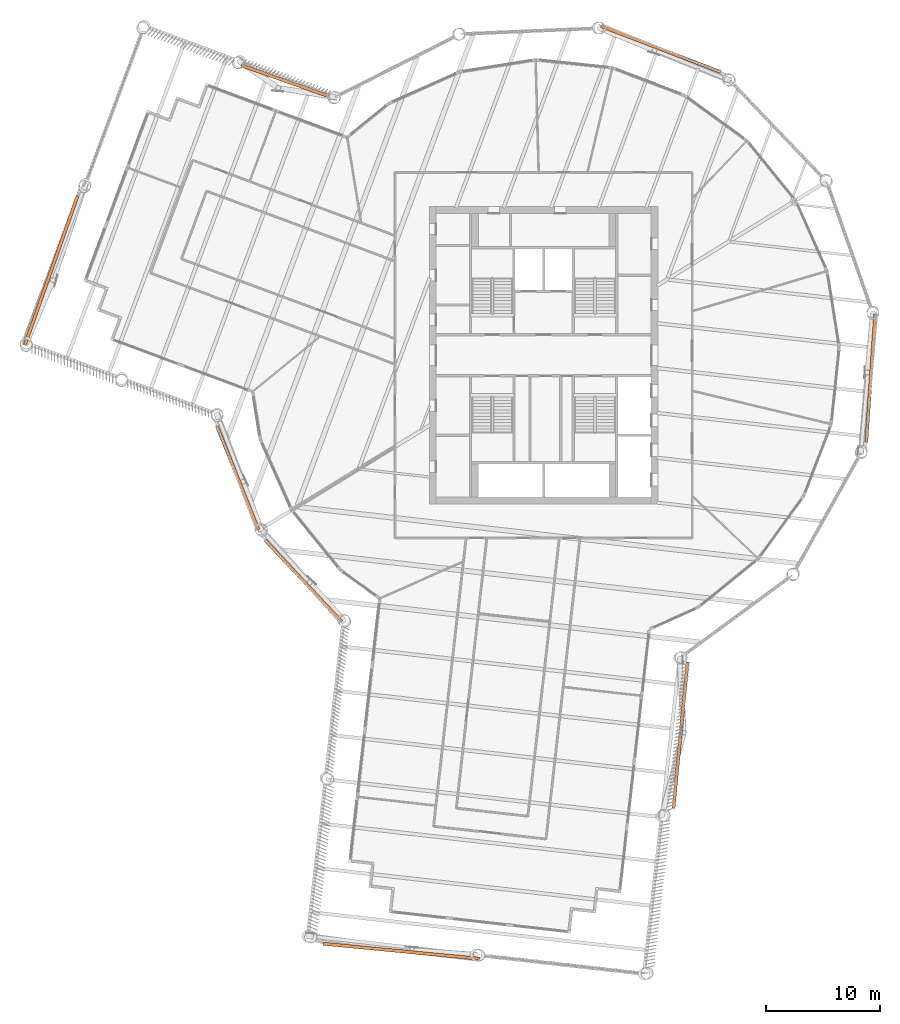
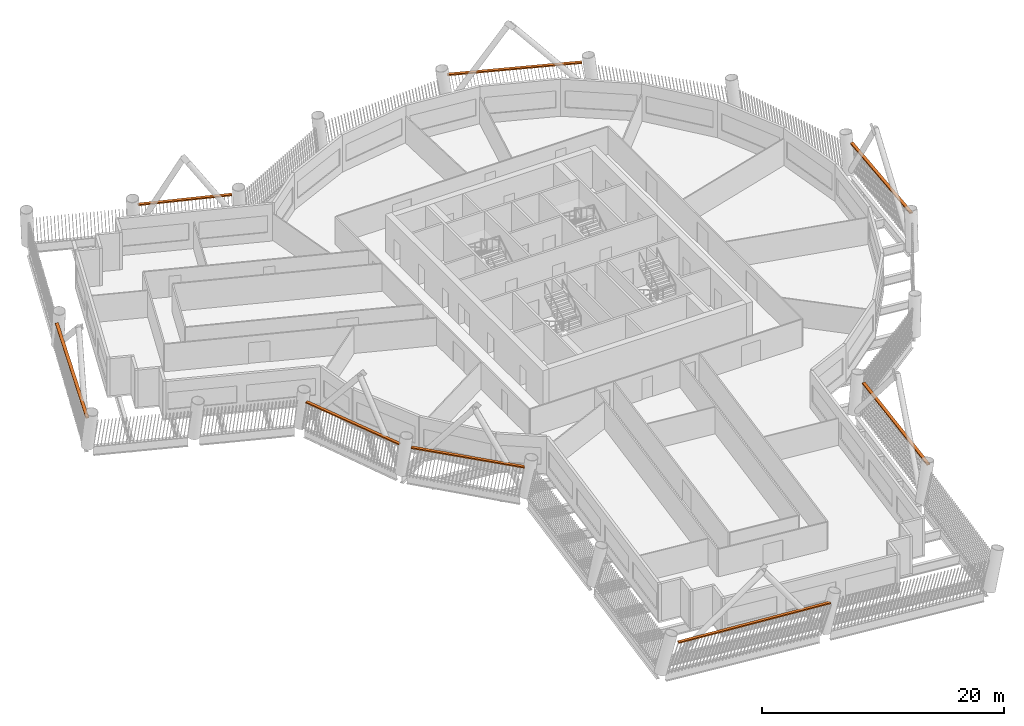
# One storey, part 22 of 22: 8 proxies.
"""IFC4 building model written with IfcOpenShell, lengths in metres."""

from ifc_helpers import new_model, si_unit, direction, frame, origin, origin_2d, place, context, subcontext, project, spatial, rectangle, extrude, material, type_object, element, save


model = new_model("IFC4")

# Units and contexts
model_context = context("Model", 3, precision=1e-05, world=origin(), true_north=direction((0.0, 1.0)))
body_context = subcontext(model_context, "Body", "Model", "MODEL_VIEW")
ifc_project = project(units=[si_unit("LENGTHUNIT", "METRE"), si_unit("AREAUNIT", "SQUARE_METRE"), si_unit("VOLUMEUNIT", "CUBIC_METRE"), si_unit("PLANEANGLEUNIT", "RADIAN"), si_unit("MASSUNIT", "GRAM", prefix="KILO")], contexts=[model_context])

# Site, building, storey
site_placement = place(None, origin())
site = spatial("IfcSite", under=ifc_project, at=site_placement, CompositionType="ELEMENT")
building_placement = place(site_placement, origin())
building = spatial("IfcBuilding", under=site, at=building_placement, Name="Tarsis Ring Headquarters", CompositionType="ELEMENT")
storey_placement = place(building_placement, frame((0.0, 0.0, 200.39990234375)))
storey = spatial("IfcBuildingStorey", under=building, at=storey_placement, Name="L46", CompositionType="ELEMENT", Elevation=200.39990234375)

# Proxies
ifc_material = material(Name="Structural steel S355", Category="steel")
building_element_proxy_type = type_object("IfcBuildingElementProxyType", Name="Screen bracket plate", PredefinedType="USERDEFINED", material=ifc_material)
proxy_1_placement = place(storey_placement, frame((-21.021728515625, -19.744140625, 2.949951171875), z_axis=(0.0, 0.0, 1.0), x_axis=(0.684610501564, -0.728909089769, 0.0)))
element("IfcBuildingElementProxy", 1, at=proxy_1_placement, inside=storey, type_object=building_element_proxy_type, Name="Screen bracket L46-00", ObjectType="Bracket", PredefinedType="USERDEFINED", context=body_context, shape_type="SweptSolid", body=[
    extrude(rectangle(XDim=9.771728515625, YDim=0.280029296875, at=origin_2d()), origin(), (0.0, 0.0, 1.0), 0.1201171875),
])
proxy_2_placement = place(storey_placement, frame((-12.436767578125, -52.1455078125, 2.949951171875), z_axis=(0.0, 0.0, 1.0), x_axis=(0.995429592536, -0.095498305241, 0.0)))
element("IfcBuildingElementProxy", 2, at=proxy_2_placement, inside=storey, type_object=building_element_proxy_type, Name="Screen bracket L46-03", ObjectType="Bracket", PredefinedType="USERDEFINED", context=body_context, shape_type="SweptSolid", body=[
    extrude(rectangle(XDim=13.800048828125, YDim=0.280029296875, at=origin_2d()), origin(), (0.0, 0.0, 1.0), 0.1201171875),
])
proxy_3_placement = place(storey_placement, frame((11.97509765625, -33.2421875, 2.949951171875), z_axis=(0.0, 0.0, 1.0), x_axis=(0.095498357362, 0.995429587536, 0.0)))
element("IfcBuildingElementProxy", 3, at=proxy_3_placement, inside=storey, type_object=building_element_proxy_type, Name="Screen bracket L46-06", ObjectType="Bracket", PredefinedType="USERDEFINED", context=body_context, shape_type="SweptSolid", body=[
    extrude(rectangle(XDim=12.90234375, YDim=0.280029296875, at=origin_2d()), origin(), (0.0, 0.0, 1.0), 0.1201171875),
])
for number, where, z_axis, x_axis, name in (
    (4, (28.620849609375, -1.998291015625, 2.949951171875), (0.0, 0.0, 1.0), (0.069647481863, 0.997571665731, 0.0), "Screen bracket L46-09"),
    (5, (10.26611328125, 26.791015625, 2.949951171875), (0.0, 0.0, 1.0), (-0.933791298215, 0.357818126117, 0.0), "Screen bracket L46-12"),
):
    element("IfcBuildingElementProxy", number, at=place(storey_placement, frame(where, z_axis=z_axis, x_axis=x_axis)), inside=storey, type_object=building_element_proxy_type, Name=name, ObjectType="Bracket", PredefinedType="USERDEFINED", context=body_context, shape_type="SweptSolid", body=[
        extrude(rectangle(XDim=11.248779296875, YDim=0.280029296875, at=origin_2d()), origin(), (0.0, 0.0, 1.0), 0.1201171875),
    ])
proxy_4_placement = place(storey_placement, frame((-22.727294921875, 24.05078125, 2.949951171875), z_axis=(0.0, 0.0, 1.0), x_axis=(-0.942757983337, 0.333477712679, 0.0)))
element("IfcBuildingElementProxy", 6, at=proxy_4_placement, inside=storey, type_object=building_element_proxy_type, Name="Screen bracket L46-15", ObjectType="Bracket", PredefinedType="USERDEFINED", context=body_context, shape_type="SweptSolid", body=[
    extrude(rectangle(XDim=7.90234375, YDim=0.280029296875, at=origin_2d()), origin(), (0.0, 0.0, 1.0), 0.1201171875),
])
proxy_5_placement = place(storey_placement, frame((-43.095947265625, 7.394775390625, 2.949951171875), z_axis=(0.0, 0.0, 1.0), x_axis=(-0.33347779495, -0.942757954236, 0.0)))
element("IfcBuildingElementProxy", 7, at=proxy_5_placement, inside=storey, type_object=building_element_proxy_type, Name="Screen bracket L46-18", ObjectType="Bracket", PredefinedType="USERDEFINED", context=body_context, shape_type="SweptSolid", body=[
    extrude(rectangle(XDim=13.800048828125, YDim=0.280029296875, at=origin_2d()), origin(), (0.0, 0.0, 1.0), 0.1201171875),
])
proxy_6_placement = place(storey_placement, frame((-26.770751953125, -10.7265625, 2.949951171875), z_axis=(0.0, 0.0, 1.0), x_axis=(0.371935221362, -0.928258687603, 0.0)))
element("IfcBuildingElementProxy", 8, at=proxy_6_placement, inside=storey, type_object=building_element_proxy_type, Name="Screen bracket L46-21", ObjectType="Bracket", PredefinedType="USERDEFINED", context=body_context, shape_type="SweptSolid", body=[
    extrude(rectangle(XDim=9.771728515625, YDim=0.280029296875, at=origin_2d()), origin(), (0.0, 0.0, 1.0), 0.1201171875),
])

save(model, "model.ifc")
